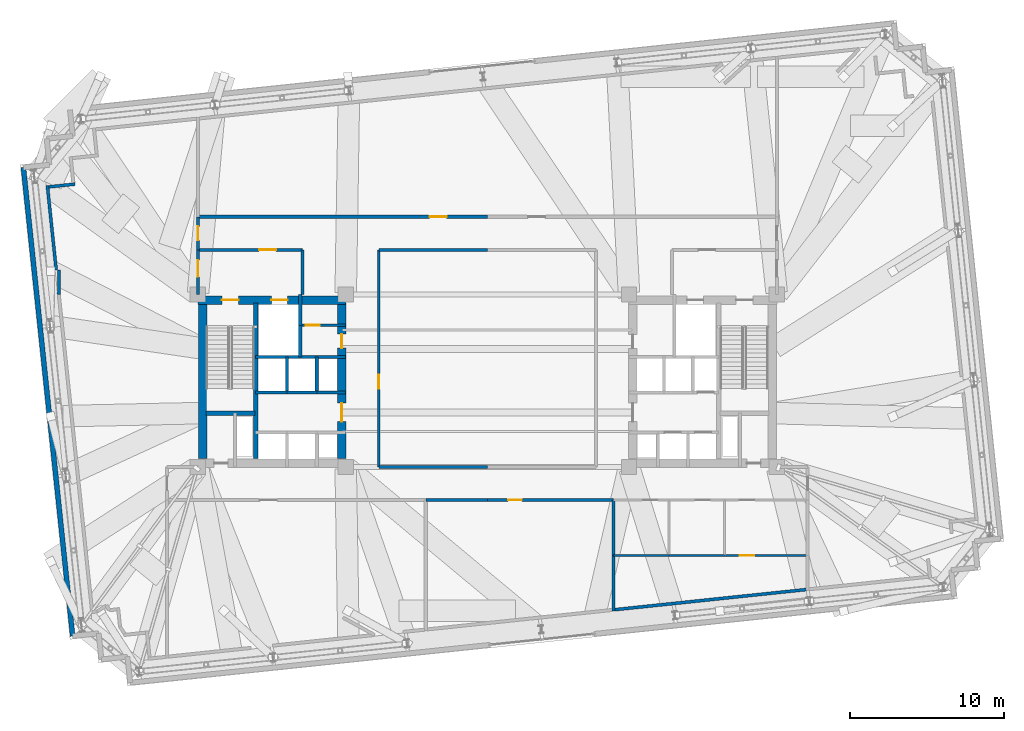
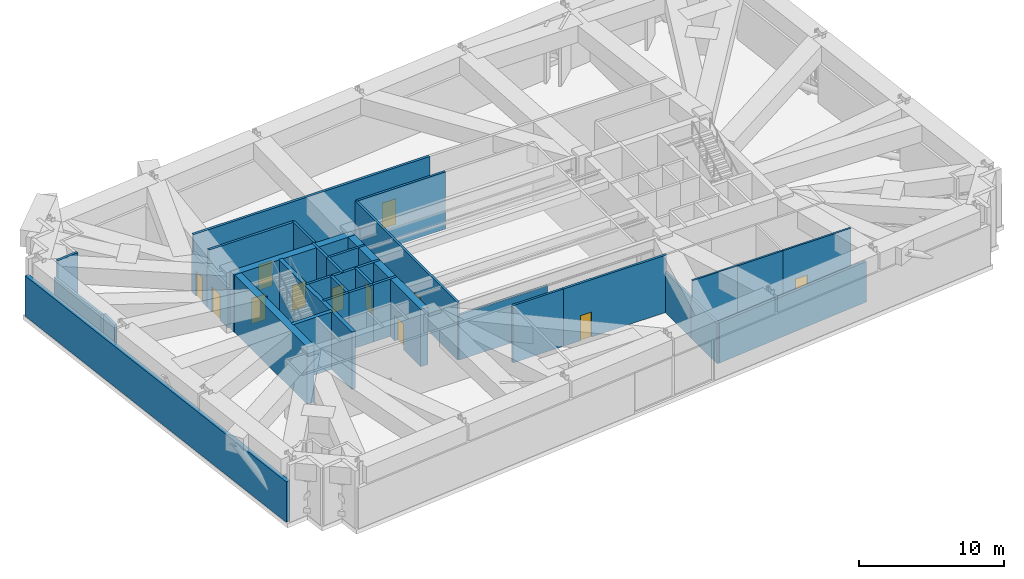
# One storey, part 19 of 23: 34 walls, 12 doors, 12 openings.
"""IFC4 building model written with IfcOpenShell, lengths in metres."""

import ifcopenshell
import ifcopenshell.guid

model = None  # the IFC model being written
_history = None  # IfcOwnerHistory: only IFC2X3 demands one
_inside = {}  # id of a spatial element -> (the spatial element, [elements in it])
_under = {}  # id of a project, library or spatial element -> (it, [spatial elements below it])
_declared = {}  # id of a project -> (the project, [libraries it declares])
_typed = {}  # id of a type object -> (the type object, [elements of that type])
_made_of = {}  # id of a material, layer set ... -> (it, [elements and type objects made of it])


def new_model(schema):
    """Start an empty IFC model of exactly this schema.

    Asked for "IFC4X3", IfcOpenShell would pick the latest addendum, in which some entities
    have other attributes; the version numbers below select the first issue.
    IFC2X3 requires an IfcOwnerHistory on every rooted entity: one is made here for all.
    """
    global model, _history
    if schema == "IFC4X3":
        model = ifcopenshell.file(schema_version=(4, 3, 0, 0))
    else:
        model = ifcopenshell.file(schema=schema)
    _inside.clear()
    _under.clear()
    _declared.clear()
    _typed.clear()
    _made_of.clear()
    _history = None
    if model.schema == "IFC2X3":
        org = make("IfcOrganization", Name="unknown")
        user = make(
            "IfcPersonAndOrganization",
            ThePerson=make("IfcPerson", FamilyName="unknown"),
            TheOrganization=org,
        )
        app = make(
            "IfcApplication",
            ApplicationDeveloper=org,
            Version="unknown",
            ApplicationFullName="unknown",
            ApplicationIdentifier="unknown",
        )
        _history = make(
            "IfcOwnerHistory",
            OwningUser=user,
            OwningApplication=app,
            ChangeAction="ADDED",
            CreationDate=0,
        )
    return model


def make(cls, **values):
    """One entity of the class cls with the attributes given. An attribute that is None is left unset."""
    return model.create_entity(
        cls, **{name: value for name, value in values.items() if value is not None}
    )


def rooted(cls, **values):
    """An entity with a GlobalId (a new one), such as an element, a storey or a relation."""
    return make(cls, GlobalId=ifcopenshell.guid.new(), OwnerHistory=_history, **values)


def si_unit(unit_type, name, prefix=None):
    """IfcSIUnit, for example si_unit("LENGTHUNIT", "METRE", prefix="MILLI")."""
    return make("IfcSIUnit", UnitType=unit_type, Prefix=prefix, Name=name)


def assignment(units):
    """IfcUnitAssignment: the units of a project."""
    return None if units is None else make("IfcUnitAssignment", Units=units)


def point(xyz):
    """IfcCartesianPoint."""
    return None if xyz is None else make("IfcCartesianPoint", Coordinates=xyz)


def direction(xyz):
    """IfcDirection."""
    return None if xyz is None else make("IfcDirection", DirectionRatios=xyz)


def frame(location, z_axis=None, x_axis=None):
    """IfcAxis2Placement3D, a coordinate frame: its origin and axes. An axis left out is left unset."""
    return make(
        "IfcAxis2Placement3D",
        Location=point(location),
        Axis=direction(z_axis),
        RefDirection=direction(x_axis),
    )


def frame_2d(location, x_axis=None):
    """IfcAxis2Placement2D, a coordinate frame in the plane: its origin and x axis."""
    return make(
        "IfcAxis2Placement2D", Location=point(location), RefDirection=direction(x_axis)
    )


def origin():
    """The frame at (0, 0, 0) with its axes left unset."""
    return frame((0.0, 0.0, 0.0))


def place(relative_to, where):
    """IfcLocalPlacement: puts the frame where relative to a parent placement (None: the world)."""
    return make(
        "IfcLocalPlacement", PlacementRelTo=relative_to, RelativePlacement=where
    )


def context(
    kind, dimensions, precision=None, world=None, true_north=None, identifier=None
):
    """IfcGeometricRepresentationContext, for example the 3D "Model" context."""
    return make(
        "IfcGeometricRepresentationContext",
        ContextIdentifier=identifier,
        ContextType=kind,
        CoordinateSpaceDimension=dimensions,
        Precision=precision,
        WorldCoordinateSystem=world,
        TrueNorth=true_north,
    )


def subcontext(parent, identifier, kind, view, scale=None):
    """IfcGeometricRepresentationSubContext, for example "Body" below "Model"."""
    return make(
        "IfcGeometricRepresentationSubContext",
        ContextIdentifier=identifier,
        ContextType=kind,
        ParentContext=parent,
        TargetScale=scale,
        TargetView=view,
    )


def project(units=None, contexts=None):
    """IfcProject with its units and contexts."""
    return rooted(
        "IfcProject",
        Name="project",
        RepresentationContexts=contexts,
        UnitsInContext=assignment(units),
    )


def spatial(cls, under=None, at=None, **own):
    """A site, building, storey or space (cls), placed at a placement, below another one or the project."""
    s = rooted(cls, ObjectPlacement=at, **own)
    if under is not None:
        _under.setdefault(under.id(), (under, []))[1].append(s)
    return s


def profile(cls, at=None, kind="AREA", **sizes):
    """A parametric profile (cls). Its sizes go by their IFC names, for example OverallWidth=200.0."""
    return make(cls, ProfileType=kind, Position=at, **sizes)


def rectangle(**sizes):
    """IfcRectangleProfileDef."""
    return profile("IfcRectangleProfileDef", **sizes)


def extrude(swept, where, along, depth):
    """IfcExtrudedAreaSolid: the profile swept, set in the frame where, extruded along a direction by depth."""
    return make(
        "IfcExtrudedAreaSolid",
        SweptArea=swept,
        Position=where,
        ExtrudedDirection=direction(along),
        Depth=depth,
    )


def shape(context_of_items, identifier, shape_type, items):
    """IfcShapeRepresentation: the items that make up one representation, for example the "Body"."""
    return make(
        "IfcShapeRepresentation",
        ContextOfItems=context_of_items,
        RepresentationIdentifier=identifier,
        RepresentationType=shape_type,
        Items=items,
    )


def material(Name=None, Category=None):
    """IfcMaterial."""
    return make("IfcMaterial", Name=Name, Category=Category)


def layer(
    of_material, thickness, ventilated=None, Name=None, Category=None, Priority=None
):
    """IfcMaterialLayer: one layer of a wall or slab, of a material (None: an air gap)."""
    return make(
        "IfcMaterialLayer",
        Material=of_material,
        LayerThickness=thickness,
        IsVentilated=ventilated,
        Name=Name,
        Category=Category,
        Priority=Priority,
    )


def layer_set(layers, Name=None):
    """IfcMaterialLayerSet."""
    return make("IfcMaterialLayerSet", MaterialLayers=layers, LayerSetName=Name)


def made_of(thing, what):
    """Note that an element or type object is made of a material, layer set ...; save() writes the relation."""
    if what is not None:
        _made_of.setdefault(what.id(), (what, []))[1].append(thing)
    return thing


def type_object(cls, material=None, **own):
    """A type object (cls), such as IfcWallType, which elements share."""
    return made_of(rooted(cls, **own), material)


def element(
    cls,
    number,
    at=None,
    inside=None,
    cuts=None,
    type_object=None,
    material=None,
    context=None,
    identifier="Body",
    shape_type=None,
    held_by="IfcProductDefinitionShape",
    body=None,
    shapes=None,
    **own,
):
    """One element of the class cls, such as IfcWall. Its Tag is "e" and its number.

    at: its placement. inside: the storey or other place that contains it. cuts: it is an
    opening in that element (IfcRelVoidsElement). A single representation is given by context,
    identifier, shape_type and body (its items); several are given by shapes. held_by: the class
    of the entity that holds the representations. save() writes the other relations.
    """
    e = rooted(cls, Tag="e%d" % number, ObjectPlacement=at, **own)
    if body is not None:
        shapes = [shape(context, identifier, shape_type, body)]
    if shapes is not None:
        e.Representation = make(held_by, Representations=shapes)
    if inside is not None:
        _inside.setdefault(inside.id(), (inside, []))[1].append(e)
    if cuts is not None:
        rooted(
            "IfcRelVoidsElement", RelatingBuildingElement=cuts, RelatedOpeningElement=e
        )
    if type_object is not None:
        _typed.setdefault(type_object.id(), (type_object, []))[1].append(e)
    return made_of(e, material)


def fill(opening, filler):
    """IfcRelFillsElement: the door or window that sits in an opening."""
    return rooted(
        "IfcRelFillsElement",
        RelatingOpeningElement=opening,
        RelatedBuildingElement=filler,
    )


def aggregate(whole, parts):
    """IfcRelAggregates: a whole, such as a stair, and the parts it consists of."""
    return rooted("IfcRelAggregates", RelatingObject=whole, RelatedObjects=parts)


def save(model, path):
    """Write the relations noted so far, then the file.

    IfcRelAggregates (storeys below a building ...), IfcRelContainedInSpatialStructure (elements
    in a storey), IfcRelDefinesByType, IfcRelAssociatesMaterial and IfcRelDeclares: one each for
    every whole, place, type object, material and project.
    """
    for whole, parts in _under.values():
        aggregate(whole, parts)
    for where, things in _inside.values():
        rooted(
            "IfcRelContainedInSpatialStructure",
            RelatedElements=things,
            RelatingStructure=where,
        )
    for kind, things in _typed.values():
        rooted("IfcRelDefinesByType", RelatedObjects=things, RelatingType=kind)
    for what, things in _made_of.values():
        rooted("IfcRelAssociatesMaterial", RelatedObjects=things, RelatingMaterial=what)
    for by, libraries in _declared.values():
        rooted("IfcRelDeclares", RelatingContext=by, RelatedDefinitions=libraries)
    model.write(path)


model = new_model("IFC4")

# Units and contexts
model_context = context("Model", 3, precision=1e-05, world=origin(), true_north=direction((0.0, 1.0)))
body_context = subcontext(model_context, "Body", "Model", "MODEL_VIEW")
ifc_project = project(units=[si_unit("LENGTHUNIT", "METRE"), si_unit("AREAUNIT", "SQUARE_METRE"), si_unit("VOLUMEUNIT", "CUBIC_METRE"), si_unit("PLANEANGLEUNIT", "RADIAN"), si_unit("MASSUNIT", "GRAM", prefix="KILO")], contexts=[model_context])

# Site, building, storey
site_placement = place(None, origin())
site = spatial("IfcSite", under=ifc_project, at=site_placement, CompositionType="ELEMENT")
building_placement = place(site_placement, origin())
building = spatial("IfcBuilding", under=site, at=building_placement, Name="Qobustan Lattice House", CompositionType="ELEMENT")
storey_placement = place(building_placement, frame((0.0, 0.0, 125.89990234375)))
storey = spatial("IfcBuildingStorey", under=building, at=storey_placement, Name="L35", CompositionType="ELEMENT", Elevation=125.89990234375)

# Wall, openings, doors
ifc_material_1 = material(Name="Concrete C60/75", Category="concrete")
ifc_layer_1 = layer(ifc_material_1, 0.56005859375)
ifc_layer_set_1 = layer_set([ifc_layer_1], Name="Concrete C60/75")
wall_type_1 = type_object("IfcWallType", Name="WAL-CORE-600", PredefinedType="SHEAR", material=ifc_layer_set_1)
wall_1_placement = place(storey_placement, frame((-18.800048828125, 5.239990234375, 0.0), z_axis=(0.0, 0.0, 1.0), x_axis=(1.0, 0.0, 0.0)))
wall_1 = element("IfcWall", 1, at=wall_1_placement, inside=storey, type_object=wall_type_1, Name="L35 split-core shear wall CW-N", PredefinedType="SHEAR", context=body_context, shape_type="SweptSolid", body=[
    extrude(rectangle(XDim=9.60009765625, YDim=0.56005859375, at=frame_2d((4.800048828125, 0.0))), origin(), (0.0, 0.0, 1.0), 4.820068359375),
])
opening_1_placement = place(wall_1_placement, frame((1.550048828125, 0.0, 0.0)))
opening_1 = element("IfcOpeningElement", 2, at=opening_1_placement, cuts=wall_1, Name="Opening SD-01", PredefinedType="OPENING", context=body_context, shape_type="SweptSolid", body=[
    extrude(rectangle(XDim=1.10009765625, YDim=2.14990234375, at=frame_2d((0.550048828125, 1.074951171875))), frame((0.0, 0.2900390625, 0.0), z_axis=(0.0, -1.0, 0.0), x_axis=(1.0, 0.0, 0.0)), (0.0, 0.0, 1.0), 0.580078125),
])
opening_2_placement = place(wall_1_placement, frame((4.77490234375, 0.0, 0.0)))
opening_2 = element("IfcOpeningElement", 3, at=opening_2_placement, cuts=wall_1, Name="Opening LD-01", PredefinedType="OPENING", context=body_context, shape_type="SweptSolid", body=[
    extrude(rectangle(XDim=1.050048828125, YDim=2.10009765625, at=frame_2d((0.52490234375, 1.050048828125))), frame((0.0, 0.2900390625, 0.0), z_axis=(0.0, -1.0, 0.0), x_axis=(1.0, 0.0, 0.0)), (0.0, 0.0, 1.0), 0.580078125),
])
ifc_material_2 = material(Name="Persian walnut timber and steel frame door", Category="steel")
door_type_1 = type_object("IfcDoorType", Name="DOR-LIFT-LD-1050x2100", OperationType="NOTDEFINED", PredefinedType="DOOR", material=ifc_material_2)
door_1_placement = place(opening_2_placement, origin())
door_1 = element("IfcDoor", 4, at=door_1_placement, inside=storey, type_object=door_type_1, Name="L35 firefighting lift FF-W landing door", OperationType="DOUBLE_DOOR_SLIDING", OverallHeight=2.10009765625, OverallWidth=1.050048828125, PredefinedType="DOOR", context=body_context, shape_type="SweptSolid", body=[
    extrude(rectangle(XDim=1.050048828125, YDim=2.10009765625, at=frame_2d((0.52490234375, 1.050048828125))), frame((0.0, 0.02490234375, 0.0), z_axis=(0.0, -1.0, 0.0), x_axis=(1.0, 0.0, 0.0)), (0.0, 0.0, 1.0), 0.050048828125),
])
fill(opening_2, door_1)
ifc_material_3 = material(Name="Persian walnut timber and steel frame door", Category="steel")
door_type_2 = type_object("IfcDoorType", Name="DOR-STAIR-FD-1100x2150", OperationType="NOTDEFINED", PredefinedType="DOOR", material=ifc_material_3)
door_2_placement = place(opening_1_placement, origin())
door_2 = element("IfcDoor", 5, at=door_2_placement, inside=storey, type_object=door_type_2, Name="L35 exit stair ST-W1 fire door", OperationType="SINGLE_SWING_RIGHT", OverallHeight=2.14990234375, OverallWidth=1.10009765625, PredefinedType="DOOR", context=body_context, shape_type="SweptSolid", body=[
    extrude(rectangle(XDim=1.10009765625, YDim=2.14990234375, at=frame_2d((0.550048828125, 1.074951171875))), frame((0.0, 0.02490234375, 0.0), z_axis=(0.0, -1.0, 0.0), x_axis=(1.0, 0.0, 0.0)), (0.0, 0.0, 1.0), 0.050048828125),
])
fill(opening_1, door_2)

# Wall
wall_2_placement = place(storey_placement, frame((-18.489990234375, -5.050048828125, 0.0), z_axis=(0.0, 0.0, 1.0), x_axis=(0.0, 1.0, 0.0)))
element("IfcWall", 6, at=wall_2_placement, inside=storey, type_object=wall_type_1, Name="L35 split-core shear wall CW-W", PredefinedType="SHEAR", context=body_context, shape_type="SweptSolid", body=[
    extrude(rectangle(XDim=10.10009765625, YDim=0.56005859375, at=frame_2d((5.050048828125, 0.0))), origin(), (0.0, 0.0, 1.0), 4.820068359375),
])

# Wall, openings, doors
wall_3_placement = place(storey_placement, frame((-9.449951171875, -5.050048828125, 0.0), z_axis=(0.0, 0.0, 1.0), x_axis=(0.0, 1.0, 0.0)))
wall_3 = element("IfcWall", 7, at=wall_3_placement, inside=storey, type_object=wall_type_1, Name="L35 split-core shear wall CW-E", PredefinedType="SHEAR", context=body_context, shape_type="SweptSolid", body=[
    extrude(rectangle(XDim=10.10009765625, YDim=0.56005859375, at=frame_2d((5.050048828125, 0.0))), origin(), (0.0, 0.0, 1.0), 4.820068359375),
])
opening_3_placement = place(wall_3_placement, frame((7.175048828125, 0.0, 0.0)))
opening_3 = element("IfcOpeningElement", 8, at=opening_3_placement, cuts=wall_3, Name="Opening RD-01", PredefinedType="OPENING", context=body_context, shape_type="SweptSolid", body=[
    extrude(rectangle(XDim=0.89990234375, YDim=2.10009765625, at=frame_2d((0.449951171875, 1.050048828125))), frame((0.0, 0.2900390625, 0.0), z_axis=(0.0, -1.0, 0.0), x_axis=(1.0, 0.0, 0.0)), (0.0, 0.0, 1.0), 0.580078125),
])
opening_4_placement = place(wall_3_placement, frame((2.39990234375, 0.0, 0.0)))
opening_4 = element("IfcOpeningElement", 9, at=opening_4_placement, cuts=wall_3, Name="Opening FD-01", PredefinedType="OPENING", context=body_context, shape_type="SweptSolid", body=[
    extrude(rectangle(XDim=1.199951171875, YDim=2.14990234375, at=frame_2d((0.60009765625, 1.074951171875))), frame((0.0, 0.2900390625, 0.0), z_axis=(0.0, -1.0, 0.0), x_axis=(1.0, 0.0, 0.0)), (0.0, 0.0, 1.0), 0.580078125),
])
ifc_material_4 = material(Name="Persian walnut timber and steel frame door", Category="steel")
door_type_3 = type_object("IfcDoorType", Name="DOR-LOBBY-FD-1200x2150", OperationType="NOTDEFINED", PredefinedType="DOOR", material=ifc_material_4)
door_3_placement = place(opening_4_placement, origin())
door_3 = element("IfcDoor", 10, at=door_3_placement, inside=storey, type_object=door_type_3, Name="L35 West core foyer fire door", OperationType="SINGLE_SWING_RIGHT", OverallHeight=2.14990234375, OverallWidth=1.199951171875, PredefinedType="DOOR", context=body_context, shape_type="SweptSolid", body=[
    extrude(rectangle(XDim=1.199951171875, YDim=2.14990234375, at=frame_2d((0.60009765625, 1.074951171875))), frame((0.0, 0.02490234375, 0.0), z_axis=(0.0, -1.0, 0.0), x_axis=(1.0, 0.0, 0.0)), (0.0, 0.0, 1.0), 0.050048828125),
])
fill(opening_4, door_3)
ifc_material_5 = material(Name="Persian walnut timber and steel frame door", Category="steel")
door_type_4 = type_object("IfcDoorType", Name="DOR-RISER-FD-900x2100", OperationType="NOTDEFINED", PredefinedType="DOOR", material=ifc_material_5)
door_4_placement = place(opening_3_placement, origin())
door_4 = element("IfcDoor", 11, at=door_4_placement, inside=storey, type_object=door_type_4, Name="L35 Core utility lobby fire door", OperationType="SINGLE_SWING_LEFT", OverallHeight=2.10009765625, OverallWidth=0.89990234375, PredefinedType="DOOR", context=body_context, shape_type="SweptSolid", body=[
    extrude(rectangle(XDim=0.89990234375, YDim=2.10009765625, at=frame_2d((0.449951171875, 1.050048828125))), frame((0.0, 0.02490234375, 0.0), z_axis=(0.0, -1.0, 0.0), x_axis=(1.0, 0.0, 0.0)), (0.0, 0.0, 1.0), 0.050048828125),
])
fill(opening_3, door_4)

# Walls
ifc_material_6 = material(Name="Concrete C50/60", Category="concrete")
ifc_layer_2 = layer(ifc_material_6, 0.280029296875)
ifc_layer_set_2 = layer_set([ifc_layer_2], Name="Concrete C50/60")
wall_type_2 = type_object("IfcWallType", Name="WAL-CORE-SPINE-280", PredefinedType="SHEAR", material=ifc_layer_set_2)
wall_4_placement = place(storey_placement, frame((-15.050048828125, -5.050048828125, 0.0), z_axis=(0.0, 0.0, 1.0), x_axis=(0.0, 1.0, 0.0)))
element("IfcWall", 12, at=wall_4_placement, inside=storey, type_object=wall_type_2, Name="L35 split-core shear wall CW-M", PredefinedType="SHEAR", context=body_context, shape_type="SweptSolid", body=[
    extrude(rectangle(XDim=10.10009765625, YDim=0.300048828125, at=frame_2d((5.050048828125, 0.0))), origin(), (0.0, 0.0, 1.0), 4.820068359375),
])
wall_5_placement = place(storey_placement, frame((-18.280029296875, -2.110107421875, 0.0), z_axis=(0.0, 0.0, 1.0), x_axis=(1.0, 0.0, 0.0)))
element("IfcWall", 13, at=wall_5_placement, inside=storey, type_object=wall_type_2, Name="L35 split-core shear wall CW-ST", PredefinedType="SHEAR", context=body_context, shape_type="SweptSolid", body=[
    extrude(rectangle(XDim=3.179931640625, YDim=0.300048828125, at=frame_2d((1.58984375, 0.0))), origin(), (0.0, 0.0, 1.0), 4.820068359375),
])
ifc_material_7 = material(Name="Precast concrete C40/50", Category="concrete")
ifc_layer_3 = layer(ifc_material_7, 0.320068359375)
ifc_layer_set_3 = layer_set([ifc_layer_3], Name="Precast concrete C40/50")
wall_type_3 = type_object("IfcWallType", Name="WAL-EXT-STONE-320", PredefinedType="SOLIDWALL", material=ifc_layer_set_3)
wall_6_placement = place(storey_placement, frame((-26.934814453125, -16.58349609375, 0.0), z_axis=(0.0, 0.0, 1.0), x_axis=(-0.104524887486, 0.994522271192, 0.0)))
element("IfcWall", 14, at=wall_6_placement, inside=storey, type_object=wall_type_3, Name="L35 exterior limestone-clad wall 5", PredefinedType="SOLIDWALL", context=body_context, shape_type="SweptSolid", body=[
    extrude(rectangle(XDim=30.600341796875, YDim=0.320068359375, at=frame_2d((15.30029296875, 0.0))), origin(), (0.0, 0.0, 1.0), 3.405029296875),
])

# Wall, opening, door
ifc_material_8 = material(Name="Gypsum fireboard acoustic partition", Category="gypsum")
ifc_layer_4 = layer(ifc_material_8, 0.179931640625)
ifc_layer_set_4 = layer_set([ifc_layer_4], Name="Gypsum fireboard acoustic partition")
wall_type_4 = type_object("IfcWallType", Name="WAL-FIRE-180", PredefinedType="PARTITIONING", material=ifc_layer_set_4)
wall_7_placement = place(storey_placement, frame((-9.199951171875, 3.60009765625, 0.0), z_axis=(0.0, 0.0, 1.0), x_axis=(-1.0, 0.0, 0.0)))
wall_7 = element("IfcWall", 15, at=wall_7_placement, inside=storey, type_object=wall_type_4, Name="L35 interior partition 7", PredefinedType="PARTITIONING", context=body_context, shape_type="SweptSolid", body=[
    extrude(rectangle(XDim=2.949951171875, YDim=0.179931640625, at=frame_2d((1.47509765625, 0.0))), origin(), (0.0, 0.0, 1.0), 4.820068359375),
])
opening_5_placement = place(wall_7_placement, frame((1.699951171875, 0.0, 0.0)))
opening_5 = element("IfcOpeningElement", 16, at=opening_5_placement, cuts=wall_7, Name="Opening RD-01", PredefinedType="OPENING", context=body_context, shape_type="SweptSolid", body=[
    extrude(rectangle(XDim=0.89990234375, YDim=2.10009765625, at=frame_2d((0.449951171875, 1.050048828125))), frame((0.0, 0.099853515625, 0.0), z_axis=(0.0, -1.0, 0.0), x_axis=(1.0, 0.0, 0.0)), (0.0, 0.0, 1.0), 0.199951171875),
])
door_5_placement = place(opening_5_placement, origin())
door_5 = element("IfcDoor", 17, at=door_5_placement, inside=storey, type_object=door_type_4, Name="L35 Core utility lobby to Cleaner store door", OperationType="SINGLE_SWING_RIGHT", OverallHeight=2.10009765625, OverallWidth=0.89990234375, PredefinedType="DOOR", context=body_context, shape_type="SweptSolid", body=[
    extrude(rectangle(XDim=0.89990234375, YDim=2.10009765625, at=frame_2d((0.449951171875, 1.050048828125))), frame((0.0, 0.02490234375, 0.0), z_axis=(0.0, -1.0, 0.0), x_axis=(1.0, 0.0, 0.0)), (0.0, 0.0, 1.0), 0.050048828125),
])
fill(opening_5, door_5)

# Walls
wall_8_placement = place(storey_placement, frame((0.0, 8.5, 0.0), z_axis=(0.0, 0.0, 1.0), x_axis=(-1.0, 0.0, 0.0)))
element("IfcWall", 18, at=wall_8_placement, inside=storey, type_object=wall_type_4, Name="L35 interior partition 39", PredefinedType="PARTITIONING", context=body_context, shape_type="SweptSolid", body=[
    extrude(rectangle(XDim=7.050048828125, YDim=0.179931640625, at=frame_2d((3.52490234375, 0.0))), origin(), (0.0, 0.0, 1.0), 4.820068359375),
])
wall_9_placement = place(storey_placement, frame((0.0, -7.75, 0.0), z_axis=(0.0, 0.0, 1.0), x_axis=(-1.0, 0.0, 0.0)))
element("IfcWall", 19, at=wall_9_placement, inside=storey, type_object=wall_type_4, Name="L35 interior partition 46", PredefinedType="PARTITIONING", context=body_context, shape_type="SweptSolid", body=[
    extrude(rectangle(XDim=4.0, YDim=0.179931640625, at=frame_2d((2.0, 0.0))), origin(), (0.0, 0.0, 1.0), 4.820068359375),
])
wall_10_placement = place(storey_placement, frame((-7.050048828125, -5.60009765625, 0.0), z_axis=(0.0, 0.0, 1.0), x_axis=(1.0, 0.0, 0.0)))
element("IfcWall", 20, at=wall_10_placement, inside=storey, type_object=wall_type_4, Name="L35 interior partition 47", PredefinedType="PARTITIONING", context=body_context, shape_type="SweptSolid", body=[
    extrude(rectangle(XDim=7.050048828125, YDim=0.179931640625, at=frame_2d((3.52490234375, 0.0))), origin(), (0.0, 0.0, 1.0), 3.797119140625),
])

# Wall, opening, door
wall_11_placement = place(storey_placement, frame((8.199951171875, -7.75, 0.0), z_axis=(0.0, 0.0, 1.0), x_axis=(-1.0, 0.0, 0.0)))
wall_11 = element("IfcWall", 21, at=wall_11_placement, inside=storey, type_object=wall_type_4, Name="L35 interior partition 50", PredefinedType="PARTITIONING", context=body_context, shape_type="SweptSolid", body=[
    extrude(rectangle(XDim=8.199951171875, YDim=0.179931640625, at=frame_2d((4.10009765625, 0.0))), origin(), (0.0, 0.0, 1.0), 4.820068359375),
])
opening_6_placement = place(wall_11_placement, frame((5.952392578125, 0.0, 0.0)))
opening_6 = element("IfcOpeningElement", 22, at=opening_6_placement, cuts=wall_11, Name="Opening RD-01", PredefinedType="OPENING", context=body_context, shape_type="SweptSolid", body=[
    extrude(rectangle(XDim=0.89990234375, YDim=2.10009765625, at=frame_2d((0.449951171875, 1.050048828125))), frame((0.0, 0.099853515625, 0.0), z_axis=(0.0, -1.0, 0.0), x_axis=(1.0, 0.0, 0.0)), (0.0, 0.0, 1.0), 0.199951171875),
])
door_6_placement = place(opening_6_placement, origin())
door_6 = element("IfcDoor", 23, at=door_6_placement, inside=storey, type_object=door_type_4, Name="L35 South-east mechanical plant corridor to Zone AHU chiller and HV switchgear plant door", OperationType="SINGLE_SWING_RIGHT", OverallHeight=2.10009765625, OverallWidth=0.89990234375, PredefinedType="DOOR", context=body_context, shape_type="SweptSolid", body=[
    extrude(rectangle(XDim=0.89990234375, YDim=2.10009765625, at=frame_2d((0.449951171875, 1.050048828125))), frame((0.0, 0.02490234375, 0.0), z_axis=(0.0, -1.0, 0.0), x_axis=(1.0, 0.0, 0.0)), (0.0, 0.0, 1.0), 0.050048828125),
])
fill(opening_6, door_6)

wall_12_placement = place(storey_placement, frame((-7.050048828125, 8.5, 0.0), z_axis=(0.0, 0.0, 1.0), x_axis=(0.0, -1.0, 0.0)))
wall_12 = element("IfcWall", 24, at=wall_12_placement, inside=storey, type_object=wall_type_4, Name="L35 interior partition 55", PredefinedType="PARTITIONING", context=body_context, shape_type="SweptSolid", body=[
    extrude(rectangle(XDim=14.10009765625, YDim=0.179931640625, at=frame_2d((7.050048828125, 0.0))), origin(), (0.0, 0.0, 1.0), 4.820068359375),
])
opening_7_placement = place(wall_12_placement, frame((8.10498046875, 0.0, 0.0)))
opening_7 = element("IfcOpeningElement", 25, at=opening_7_placement, cuts=wall_12, Name="Opening RD-01", PredefinedType="OPENING", context=body_context, shape_type="SweptSolid", body=[
    extrude(rectangle(XDim=0.89990234375, YDim=2.10009765625, at=frame_2d((0.449951171875, 1.050048828125))), frame((0.0, 0.099853515625, 0.0), z_axis=(0.0, -1.0, 0.0), x_axis=(1.0, 0.0, 0.0)), (0.0, 0.0, 1.0), 0.199951171875),
])
door_7_placement = place(opening_7_placement, origin())
door_7 = element("IfcDoor", 26, at=door_7_placement, inside=storey, type_object=door_type_4, Name="L35 West mechanical plant link corridor to Mid-rise transfer sky lobby door", OperationType="SINGLE_SWING_RIGHT", OverallHeight=2.10009765625, OverallWidth=0.89990234375, PredefinedType="DOOR", context=body_context, shape_type="SweptSolid", body=[
    extrude(rectangle(XDim=0.89990234375, YDim=2.10009765625, at=frame_2d((0.449951171875, 1.050048828125))), frame((0.0, 0.02490234375, 0.0), z_axis=(0.0, -1.0, 0.0), x_axis=(1.0, 0.0, 0.0)), (0.0, 0.0, 1.0), 0.050048828125),
])
fill(opening_7, door_7)

# Walls
wall_13_placement = place(storey_placement, frame((8.199951171875, -7.75, 0.0), z_axis=(0.0, 0.0, 1.0), x_axis=(0.0, -1.0, 0.0)))
element("IfcWall", 27, at=wall_13_placement, inside=storey, type_object=wall_type_4, Name="L35 interior partition 63", PredefinedType="PARTITIONING", context=body_context, shape_type="SweptSolid", body=[
    extrude(rectangle(XDim=3.60009765625, YDim=0.179931640625, at=frame_2d((1.800048828125, 0.0))), origin(), (0.0, 0.0, 1.0), 3.405029296875),
])
wall_14_placement = place(storey_placement, frame((8.199951171875, -11.35009765625, 0.0), z_axis=(0.0, 0.0, 1.0), x_axis=(0.0, -1.0, 0.0)))
element("IfcWall", 28, at=wall_14_placement, inside=storey, type_object=wall_type_4, Name="L35 interior partition 64", PredefinedType="PARTITIONING", context=body_context, shape_type="SweptSolid", body=[
    extrude(rectangle(XDim=3.601806640625, YDim=0.179931640625, at=frame_2d((1.80078125, 0.0))), origin(), (0.0, 0.0, 1.0), 3.405029296875),
])

# Wall, opening, door
ifc_material_9 = material(Name="Acoustic twin-stud gypsum partition", Category="gypsum")
ifc_layer_5 = layer(ifc_material_9, 0.14990234375)
ifc_layer_set_5 = layer_set([ifc_layer_5], Name="Acoustic twin-stud gypsum partition")
wall_type_5 = type_object("IfcWallType", Name="WAL-PART-150", PredefinedType="PARTITIONING", material=ifc_layer_set_5)
wall_15_placement = place(storey_placement, frame((20.800048828125, -11.35009765625, 0.0), z_axis=(0.0, 0.0, 1.0), x_axis=(-1.0, 0.0, 0.0)))
wall_15 = element("IfcWall", 29, at=wall_15_placement, inside=storey, type_object=wall_type_5, Name="L35 interior partition 69", PredefinedType="PARTITIONING", context=body_context, shape_type="SweptSolid", body=[
    extrude(rectangle(XDim=5.400146484375, YDim=0.14990234375, at=frame_2d((2.7001953125, 0.0))), origin(), (0.0, 0.0, 1.0), 4.820068359375),
])
opening_8_placement = place(wall_15_placement, frame((3.458740234375, 0.0, 0.0)))
opening_8 = element("IfcOpeningElement", 30, at=opening_8_placement, cuts=wall_15, Name="Opening ID-01", PredefinedType="OPENING", context=body_context, shape_type="SweptSolid", body=[
    extrude(rectangle(XDim=0.949951171875, YDim=2.10009765625, at=frame_2d((0.47509765625, 1.050048828125))), frame((0.0, 0.0849609375, 0.0), z_axis=(0.0, -1.0, 0.0), x_axis=(1.0, 0.0, 0.0)), (0.0, 0.0, 1.0), 0.169921875),
])
ifc_material_10 = material(Name="Persian walnut timber and steel frame door", Category="steel")
door_type_5 = type_object("IfcDoorType", Name="DOR-ROOM-950x2100", OperationType="NOTDEFINED", PredefinedType="DOOR", material=ifc_material_10)
door_8_placement = place(opening_8_placement, origin())
door_8 = element("IfcDoor", 31, at=door_8_placement, inside=storey, type_object=door_type_5, Name="L35 Janitor supply store to Equipment and archive store door", OperationType="SINGLE_SWING_LEFT", OverallHeight=2.10009765625, OverallWidth=0.949951171875, PredefinedType="DOOR", context=body_context, shape_type="SweptSolid", body=[
    extrude(rectangle(XDim=0.949951171875, YDim=2.10009765625, at=frame_2d((0.47509765625, 1.050048828125))), frame((0.0, 0.02490234375, 0.0), z_axis=(0.0, -1.0, 0.0), x_axis=(1.0, 0.0, 0.0)), (0.0, 0.0, 1.0), 0.050048828125),
])
fill(opening_8, door_8)

# Walls
ifc_material_11 = material(Name="Two-hour gypsum fireboard acoustic partition", Category="gypsum")
ifc_layer_6 = layer(ifc_material_11, 0.199951171875)
ifc_layer_set_6 = layer_set([ifc_layer_6], Name="Two-hour gypsum fireboard acoustic partition")
wall_type_6 = type_object("IfcWallType", Name="WAL-PROT-200", PredefinedType="PARTITIONING", material=ifc_layer_set_6)
wall_16_placement = place(storey_placement, frame((-27.835205078125, 5.61669921875, 0.0), z_axis=(0.0, 0.0, 1.0), x_axis=(0.013545938604, 0.999908249565, 0.0)))
element("IfcWall", 32, at=wall_16_placement, inside=storey, type_object=wall_type_6, Name="L35 perimeter belt-truss plenum enclosure wall 5", PredefinedType="PARTITIONING", context=body_context, shape_type="SweptSolid", body=[
    extrude(rectangle(XDim=1.568115234375, YDim=0.199951171875, at=frame_2d((0.7841796875, 0.0))), origin(), (0.0, 0.0, 1.0), 3.405029296875),
])
wall_17_placement = place(storey_placement, frame((-28.000244140625, 7.18701171875, 0.0), z_axis=(0.0, 0.0, 1.0), x_axis=(-0.104530631685, 0.994521667456, 0.0)))
element("IfcWall", 33, at=wall_17_placement, inside=storey, type_object=wall_type_6, Name="L35 perimeter belt-truss plenum enclosure wall 6", PredefinedType="PARTITIONING", context=body_context, shape_type="SweptSolid", body=[
    extrude(rectangle(XDim=5.523681640625, YDim=0.199951171875, at=frame_2d((2.76171875, 0.0))), origin(), (0.0, 0.0, 1.0), 3.405029296875),
])
wall_18_placement = place(storey_placement, frame((-28.4794921875, 12.590087890625, 0.0), z_axis=(0.0, 0.0, 1.0), x_axis=(0.994521849957, 0.104528895328, 0.0)))
element("IfcWall", 34, at=wall_18_placement, inside=storey, type_object=wall_type_6, Name="L35 perimeter belt-truss plenum enclosure wall 7", PredefinedType="PARTITIONING", context=body_context, shape_type="SweptSolid", body=[
    extrude(rectangle(XDim=1.7119140625, YDim=0.199951171875, at=frame_2d((0.85595703125, 0.0))), origin(), (0.0, 0.0, 1.0), 4.820068359375),
])
wall_19_placement = place(storey_placement, frame((20.72509765625, -13.56005859375, 0.0), z_axis=(0.0, 0.0, 1.0), x_axis=(-0.994521683674, -0.10453047738, 0.0)))
element("IfcWall", 35, at=wall_19_placement, inside=storey, type_object=wall_type_6, Name="L35 perimeter belt-truss plenum enclosure wall 27", PredefinedType="PARTITIONING", context=body_context, shape_type="SweptSolid", body=[
    extrude(rectangle(XDim=12.518798828125, YDim=0.199951171875, at=frame_2d((6.25927734375, 0.0))), origin(), (0.0, 0.0, 1.0), 3.405029296875),
])

# Wall, opening, door
wall_20_placement = place(storey_placement, frame((-12.0, 8.5, 0.0), z_axis=(0.0, 0.0, 1.0), x_axis=(-1.0, 0.0, 0.0)))
wall_20 = element("IfcWall", 36, at=wall_20_placement, inside=storey, type_object=wall_type_6, Name="L35 interior partition 4", PredefinedType="PARTITIONING", context=body_context, shape_type="SweptSolid", body=[
    extrude(rectangle(XDim=6.800048828125, YDim=0.199951171875, at=frame_2d((3.39990234375, 0.0))), origin(), (0.0, 0.0, 1.0), 4.820068359375),
])
opening_9_placement = place(wall_20_placement, frame((1.715087890625, 0.0, 0.0)))
opening_9 = element("IfcOpeningElement", 37, at=opening_9_placement, cuts=wall_20, Name="Opening SD-01", PredefinedType="OPENING", context=body_context, shape_type="SweptSolid", body=[
    extrude(rectangle(XDim=1.10009765625, YDim=2.14990234375, at=frame_2d((0.550048828125, 1.074951171875))), frame((0.0, 0.10986328125, 0.0), z_axis=(0.0, -1.0, 0.0), x_axis=(1.0, 0.0, 0.0)), (0.0, 0.0, 1.0), 0.219970703125),
])
door_9_placement = place(opening_9_placement, origin())
door_9 = element("IfcDoor", 38, at=door_9_placement, inside=storey, type_object=door_type_2, Name="L35 West firefighting lift lobby to North-west mechanical plant corridor door", OperationType="SINGLE_SWING_RIGHT", OverallHeight=2.14990234375, OverallWidth=1.10009765625, PredefinedType="DOOR", context=body_context, shape_type="SweptSolid", body=[
    extrude(rectangle(XDim=1.10009765625, YDim=2.14990234375, at=frame_2d((0.550048828125, 1.074951171875))), frame((0.0, 0.02490234375, 0.0), z_axis=(0.0, -1.0, 0.0), x_axis=(1.0, 0.0, 0.0)), (0.0, 0.0, 1.0), 0.050048828125),
])
fill(opening_9, door_9)

# Wall
wall_21_placement = place(storey_placement, frame((-12.0, 5.60009765625, 0.0), z_axis=(0.0, 0.0, 1.0), x_axis=(0.0, 1.0, 0.0)))
element("IfcWall", 39, at=wall_21_placement, inside=storey, type_object=wall_type_6, Name="L35 interior partition 5", PredefinedType="PARTITIONING", context=body_context, shape_type="SweptSolid", body=[
    extrude(rectangle(XDim=2.89990234375, YDim=0.199951171875, at=frame_2d((1.449951171875, 0.0))), origin(), (0.0, 0.0, 1.0), 4.820068359375),
])

# Wall, opening, door
wall_22_placement = place(storey_placement, frame((-18.800048828125, 8.5, 0.0), z_axis=(0.0, 0.0, 1.0), x_axis=(0.0, -1.0, 0.0)))
wall_22 = element("IfcWall", 40, at=wall_22_placement, inside=storey, type_object=wall_type_6, Name="L35 interior partition 6", PredefinedType="PARTITIONING", context=body_context, shape_type="SweptSolid", body=[
    extrude(rectangle(XDim=2.89990234375, YDim=0.199951171875, at=frame_2d((1.449951171875, 0.0))), origin(), (0.0, 0.0, 1.0), 3.405029296875),
])
opening_10_placement = place(wall_22_placement, frame((0.659912109375, 0.0, 0.0)))
opening_10 = element("IfcOpeningElement", 41, at=opening_10_placement, cuts=wall_22, Name="Opening SD-01", PredefinedType="OPENING", context=body_context, shape_type="SweptSolid", body=[
    extrude(rectangle(XDim=1.10009765625, YDim=2.14990234375, at=frame_2d((0.550048828125, 1.074951171875))), frame((0.0, 0.10986328125, 0.0), z_axis=(0.0, -1.0, 0.0), x_axis=(1.0, 0.0, 0.0)), (0.0, 0.0, 1.0), 0.219970703125),
])
door_10_placement = place(opening_10_placement, origin())
door_10 = element("IfcDoor", 42, at=door_10_placement, inside=storey, type_object=door_type_2, Name="L35 West firefighting lift lobby to West protected refuge area door", OperationType="SINGLE_SWING_LEFT", OverallHeight=2.14990234375, OverallWidth=1.10009765625, PredefinedType="DOOR", context=body_context, shape_type="SweptSolid", body=[
    extrude(rectangle(XDim=1.10009765625, YDim=2.14990234375, at=frame_2d((0.550048828125, 1.074951171875))), frame((0.0, 0.02490234375, 0.0), z_axis=(0.0, -1.0, 0.0), x_axis=(1.0, 0.0, 0.0)), (0.0, 0.0, 1.0), 0.050048828125),
])
fill(opening_10, door_10)

wall_23_placement = place(storey_placement, frame((-18.800048828125, 8.5, 0.0), z_axis=(0.0, 0.0, 1.0), x_axis=(0.0, 1.0, 0.0)))
wall_23 = element("IfcWall", 43, at=wall_23_placement, inside=storey, type_object=wall_type_6, Name="L35 interior partition 37", PredefinedType="PARTITIONING", context=body_context, shape_type="SweptSolid", body=[
    extrude(rectangle(XDim=2.14990234375, YDim=0.199951171875, at=frame_2d((1.074951171875, 0.0))), origin(), (0.0, 0.0, 1.0), 3.405029296875),
])
opening_11_placement = place(wall_23_placement, frame((0.625, 0.0, 0.0)))
opening_11 = element("IfcOpeningElement", 44, at=opening_11_placement, cuts=wall_23, Name="Opening RD-01", PredefinedType="OPENING", context=body_context, shape_type="SweptSolid", body=[
    extrude(rectangle(XDim=0.89990234375, YDim=2.10009765625, at=frame_2d((0.449951171875, 1.050048828125))), frame((0.0, 0.10986328125, 0.0), z_axis=(0.0, -1.0, 0.0), x_axis=(1.0, 0.0, 0.0)), (0.0, 0.0, 1.0), 0.219970703125),
])
door_11_placement = place(opening_11_placement, origin())
door_11 = element("IfcDoor", 45, at=door_11_placement, inside=storey, type_object=door_type_4, Name="L35 North-west mechanical plant corridor to West protected refuge area door", OperationType="SINGLE_SWING_LEFT", OverallHeight=2.10009765625, OverallWidth=0.89990234375, PredefinedType="DOOR", context=body_context, shape_type="SweptSolid", body=[
    extrude(rectangle(XDim=0.89990234375, YDim=2.10009765625, at=frame_2d((0.449951171875, 1.050048828125))), frame((0.0, 0.02490234375, 0.0), z_axis=(0.0, -1.0, 0.0), x_axis=(1.0, 0.0, 0.0)), (0.0, 0.0, 1.0), 0.050048828125),
])
fill(opening_11, door_11)

wall_24_placement = place(storey_placement, frame((-18.800048828125, 10.64990234375, 0.0), z_axis=(0.0, 0.0, 1.0), x_axis=(1.0, 0.0, 0.0)))
wall_24 = element("IfcWall", 46, at=wall_24_placement, inside=storey, type_object=wall_type_6, Name="L35 interior partition 38", PredefinedType="PARTITIONING", context=body_context, shape_type="SweptSolid", body=[
    extrude(rectangle(XDim=18.800048828125, YDim=0.199951171875, at=frame_2d((9.39990234375, 0.0))), origin(), (0.0, 0.0, 1.0), 4.820068359375),
])
opening_12_placement = place(wall_24_placement, frame((15.052490234375, 0.0, 0.0)))
opening_12 = element("IfcOpeningElement", 47, at=opening_12_placement, cuts=wall_24, Name="Opening SD-01", PredefinedType="OPENING", context=body_context, shape_type="SweptSolid", body=[
    extrude(rectangle(XDim=1.10009765625, YDim=2.14990234375, at=frame_2d((0.550048828125, 1.074951171875))), frame((0.0, 0.10986328125, 0.0), z_axis=(0.0, -1.0, 0.0), x_axis=(1.0, 0.0, 0.0)), (0.0, 0.0, 1.0), 0.219970703125),
])
door_12_placement = place(opening_12_placement, origin())
door_12 = element("IfcDoor", 48, at=door_12_placement, inside=storey, type_object=door_type_2, Name="L35 North-west mechanical plant corridor to North protected refuge area door", OperationType="SINGLE_SWING_RIGHT", OverallHeight=2.14990234375, OverallWidth=1.10009765625, PredefinedType="DOOR", context=body_context, shape_type="SweptSolid", body=[
    extrude(rectangle(XDim=1.10009765625, YDim=2.14990234375, at=frame_2d((0.550048828125, 1.074951171875))), frame((0.0, 0.02490234375, 0.0), z_axis=(0.0, -1.0, 0.0), x_axis=(1.0, 0.0, 0.0)), (0.0, 0.0, 1.0), 0.050048828125),
])
fill(opening_12, door_12)

# Walls
ifc_material_12 = material(Name="Concrete C40/50", Category="concrete")
ifc_layer_7 = layer(ifc_material_12, 0.199951171875)
ifc_layer_set_7 = layer_set([ifc_layer_7], Name="Concrete C40/50")
wall_type_7 = type_object("IfcWallType", Name="WAL-SHAFT-200", PredefinedType="PARTITIONING", material=ifc_layer_set_7)
wall_25_placement = place(storey_placement, frame((-12.14990234375, 1.550048828125, 0.0), z_axis=(0.0, 0.0, 1.0), x_axis=(0.0, 1.0, 0.0)))
element("IfcWall", 49, at=wall_25_placement, inside=storey, type_object=wall_type_7, Name="L35 interior partition 2", PredefinedType="PARTITIONING", context=body_context, shape_type="SweptSolid", body=[
    extrude(rectangle(XDim=2.050048828125, YDim=0.199951171875, at=frame_2d((1.02490234375, 0.0))), origin(), (0.0, 0.0, 1.0), 4.820068359375),
])
wall_26_placement = place(storey_placement, frame((-12.14990234375, 3.60009765625, 0.0), z_axis=(0.0, 0.0, 1.0), x_axis=(0.0, 1.0, 0.0)))
element("IfcWall", 50, at=wall_26_placement, inside=storey, type_object=wall_type_7, Name="L35 interior partition 3", PredefinedType="PARTITIONING", context=body_context, shape_type="SweptSolid", body=[
    extrude(rectangle(XDim=2.0, YDim=0.199951171875, at=frame_2d((1.0, 0.0))), origin(), (0.0, 0.0, 1.0), 4.820068359375),
])
wall_27_placement = place(storey_placement, frame((-13.02001953125, -0.75, 0.0), z_axis=(0.0, 0.0, 1.0), x_axis=(-1.0, 0.0, 0.0)))
element("IfcWall", 51, at=wall_27_placement, inside=storey, type_object=wall_type_7, Name="L35 interior partition 12", PredefinedType="PARTITIONING", context=body_context, shape_type="SweptSolid", body=[
    extrude(rectangle(XDim=2.030029296875, YDim=0.199951171875, at=frame_2d((1.01513671875, 0.0))), origin(), (0.0, 0.0, 1.0), 4.820068359375),
])
wall_28_placement = place(storey_placement, frame((-11.080078125, -0.75, 0.0), z_axis=(0.0, 0.0, 1.0), x_axis=(-1.0, 0.0, 0.0)))
element("IfcWall", 52, at=wall_28_placement, inside=storey, type_object=wall_type_7, Name="L35 interior partition 13", PredefinedType="PARTITIONING", context=body_context, shape_type="SweptSolid", body=[
    extrude(rectangle(XDim=1.93994140625, YDim=0.199951171875, at=frame_2d((0.969970703125, 0.0))), origin(), (0.0, 0.0, 1.0), 4.820068359375),
])
wall_29_placement = place(storey_placement, frame((-9.199951171875, -0.75, 0.0), z_axis=(0.0, 0.0, 1.0), x_axis=(-1.0, 0.0, 0.0)))
element("IfcWall", 53, at=wall_29_placement, inside=storey, type_object=wall_type_7, Name="L35 interior partition 14", PredefinedType="PARTITIONING", context=body_context, shape_type="SweptSolid", body=[
    extrude(rectangle(XDim=1.880126953125, YDim=0.199951171875, at=frame_2d((0.93994140625, 0.0))), origin(), (0.0, 0.0, 1.0), 4.820068359375),
])
for number, where, z_axis, x_axis, name in (
    (54, (-13.02001953125, -0.75, 0.0), (0.0, 0.0, 1.0), (0.0, 1.0, 0.0), "L35 interior partition 18"),
    (55, (-11.080078125, -0.75, 0.0), (0.0, 0.0, 1.0), (0.0, 1.0, 0.0), "L35 interior partition 19"),
):
    element("IfcWall", number, at=place(storey_placement, frame(where, z_axis=z_axis, x_axis=x_axis)), inside=storey, type_object=wall_type_7, Name=name, PredefinedType="PARTITIONING", context=body_context, shape_type="SweptSolid", body=[
        extrude(rectangle(XDim=2.300048828125, YDim=0.199951171875, at=frame_2d((1.14990234375, 0.0))), origin(), (0.0, 0.0, 1.0), 4.820068359375),
    ])
wall_30_placement = place(storey_placement, frame((-15.050048828125, 1.550048828125, 0.0), z_axis=(0.0, 0.0, 1.0), x_axis=(1.0, 0.0, 0.0)))
element("IfcWall", 56, at=wall_30_placement, inside=storey, type_object=wall_type_7, Name="L35 interior partition 70", PredefinedType="PARTITIONING", context=body_context, shape_type="SweptSolid", body=[
    extrude(rectangle(XDim=5.85009765625, YDim=0.199951171875, at=frame_2d((2.925048828125, 0.0))), origin(), (0.0, 0.0, 1.0), 4.820068359375),
])
ifc_material_13 = material(Name="Moisture-resistant acoustic plumbing wall", Category="gypsum")
ifc_layer_8 = layer(ifc_material_13, 0.14990234375)
ifc_layer_set_8 = layer_set([ifc_layer_8], Name="Moisture-resistant acoustic plumbing wall")
wall_type_8 = type_object("IfcWallType", Name="WAL-WET-150", PredefinedType="PLUMBINGWALL", material=ifc_layer_set_8)
wall_31_placement = place(storey_placement, frame((11.800048828125, -11.35009765625, 0.0), z_axis=(0.0, 0.0, 1.0), x_axis=(-1.0, 0.0, 0.0)))
element("IfcWall", 57, at=wall_31_placement, inside=storey, type_object=wall_type_8, Name="L35 interior partition 66", PredefinedType="PLUMBINGWALL", context=body_context, shape_type="SweptSolid", body=[
    extrude(rectangle(XDim=3.60009765625, YDim=0.14990234375, at=frame_2d((1.800048828125, 0.0))), origin(), (0.0, 0.0, 1.0), 4.820068359375),
])
wall_32_placement = place(storey_placement, frame((15.39990234375, -11.35009765625, 0.0), z_axis=(0.0, 0.0, 1.0), x_axis=(-1.0, 0.0, 0.0)))
element("IfcWall", 58, at=wall_32_placement, inside=storey, type_object=wall_type_8, Name="L35 interior partition 68", PredefinedType="PLUMBINGWALL", context=body_context, shape_type="SweptSolid", body=[
    extrude(rectangle(XDim=3.599853515625, YDim=0.14990234375, at=frame_2d((1.7998046875, 0.0))), origin(), (0.0, 0.0, 1.0), 4.820068359375),
])

save(model, "model.ifc")
